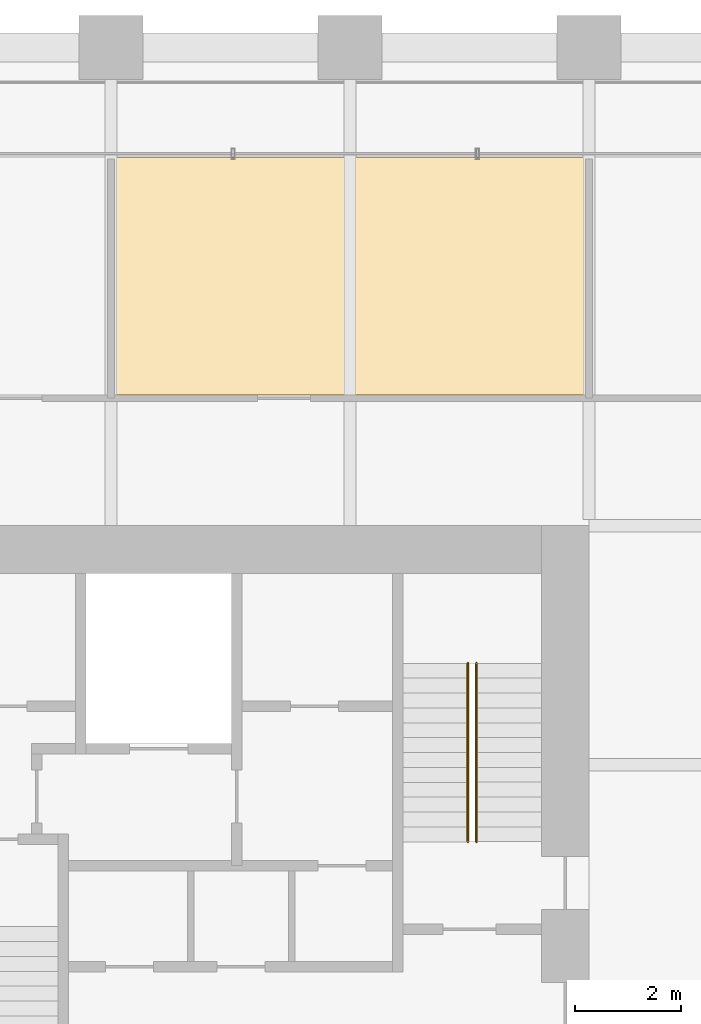
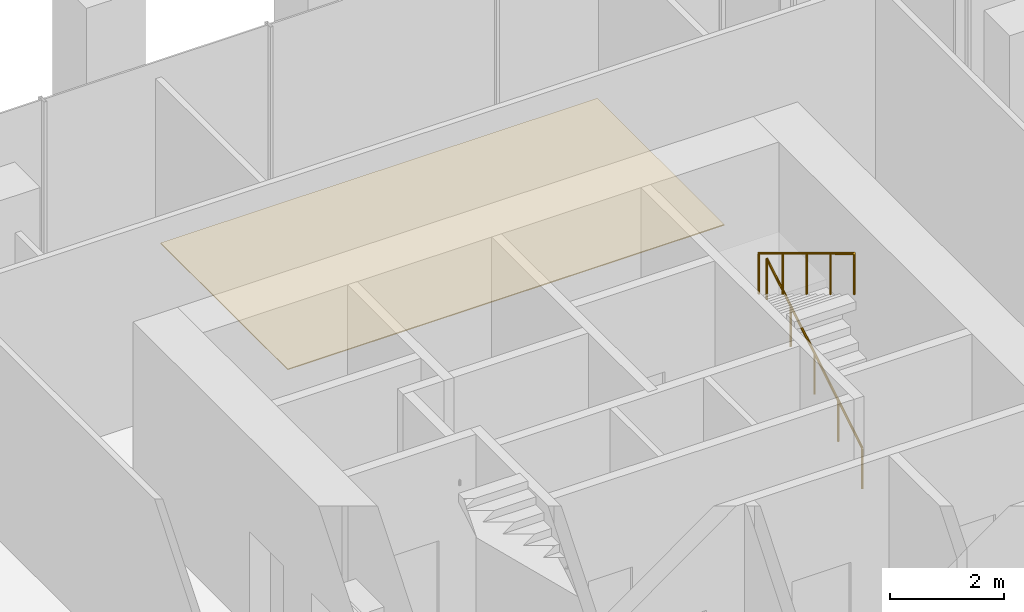
# One storey, part 36 of 36: 2 railings, 1 covering.
"""IFC4 building model written with IfcOpenShell, lengths in metres."""

import ifcopenshell
import ifcopenshell.guid

model = None  # the IFC model being written
_history = None  # IfcOwnerHistory: only IFC2X3 demands one
_inside = {}  # id of a spatial element -> (the spatial element, [elements in it])
_under = {}  # id of a project, library or spatial element -> (it, [spatial elements below it])
_declared = {}  # id of a project -> (the project, [libraries it declares])
_typed = {}  # id of a type object -> (the type object, [elements of that type])
_made_of = {}  # id of a material, layer set ... -> (it, [elements and type objects made of it])


def new_model(schema):
    """Start an empty IFC model of exactly this schema.

    Asked for "IFC4X3", IfcOpenShell would pick the latest addendum, in which some entities
    have other attributes; the version numbers below select the first issue.
    IFC2X3 requires an IfcOwnerHistory on every rooted entity: one is made here for all.
    """
    global model, _history
    if schema == "IFC4X3":
        model = ifcopenshell.file(schema_version=(4, 3, 0, 0))
    else:
        model = ifcopenshell.file(schema=schema)
    _inside.clear()
    _under.clear()
    _declared.clear()
    _typed.clear()
    _made_of.clear()
    _history = None
    if model.schema == "IFC2X3":
        org = make("IfcOrganization", Name="unknown")
        user = make(
            "IfcPersonAndOrganization",
            ThePerson=make("IfcPerson", FamilyName="unknown"),
            TheOrganization=org,
        )
        app = make(
            "IfcApplication",
            ApplicationDeveloper=org,
            Version="unknown",
            ApplicationFullName="unknown",
            ApplicationIdentifier="unknown",
        )
        _history = make(
            "IfcOwnerHistory",
            OwningUser=user,
            OwningApplication=app,
            ChangeAction="ADDED",
            CreationDate=0,
        )
    return model


def make(cls, **values):
    """One entity of the class cls with the attributes given. An attribute that is None is left unset."""
    return model.create_entity(
        cls, **{name: value for name, value in values.items() if value is not None}
    )


def rooted(cls, **values):
    """An entity with a GlobalId (a new one), such as an element, a storey or a relation."""
    return make(cls, GlobalId=ifcopenshell.guid.new(), OwnerHistory=_history, **values)


def si_unit(unit_type, name, prefix=None):
    """IfcSIUnit, for example si_unit("LENGTHUNIT", "METRE", prefix="MILLI")."""
    return make("IfcSIUnit", UnitType=unit_type, Prefix=prefix, Name=name)


def assignment(units):
    """IfcUnitAssignment: the units of a project."""
    return None if units is None else make("IfcUnitAssignment", Units=units)


def point(xyz):
    """IfcCartesianPoint."""
    return None if xyz is None else make("IfcCartesianPoint", Coordinates=xyz)


def direction(xyz):
    """IfcDirection."""
    return None if xyz is None else make("IfcDirection", DirectionRatios=xyz)


def frame(location, z_axis=None, x_axis=None):
    """IfcAxis2Placement3D, a coordinate frame: its origin and axes. An axis left out is left unset."""
    return make(
        "IfcAxis2Placement3D",
        Location=point(location),
        Axis=direction(z_axis),
        RefDirection=direction(x_axis),
    )


def frame_2d(location, x_axis=None):
    """IfcAxis2Placement2D, a coordinate frame in the plane: its origin and x axis."""
    return make(
        "IfcAxis2Placement2D", Location=point(location), RefDirection=direction(x_axis)
    )


def origin():
    """The frame at (0, 0, 0) with its axes left unset."""
    return frame((0.0, 0.0, 0.0))


def origin_2d():
    """The frame at (0, 0) in the plane with its x axis left unset."""
    return frame_2d((0.0, 0.0))


def place(relative_to, where):
    """IfcLocalPlacement: puts the frame where relative to a parent placement (None: the world)."""
    return make(
        "IfcLocalPlacement", PlacementRelTo=relative_to, RelativePlacement=where
    )


def context(
    kind, dimensions, precision=None, world=None, true_north=None, identifier=None
):
    """IfcGeometricRepresentationContext, for example the 3D "Model" context."""
    return make(
        "IfcGeometricRepresentationContext",
        ContextIdentifier=identifier,
        ContextType=kind,
        CoordinateSpaceDimension=dimensions,
        Precision=precision,
        WorldCoordinateSystem=world,
        TrueNorth=true_north,
    )


def subcontext(parent, identifier, kind, view, scale=None):
    """IfcGeometricRepresentationSubContext, for example "Body" below "Model"."""
    return make(
        "IfcGeometricRepresentationSubContext",
        ContextIdentifier=identifier,
        ContextType=kind,
        ParentContext=parent,
        TargetScale=scale,
        TargetView=view,
    )


def project(units=None, contexts=None):
    """IfcProject with its units and contexts."""
    return rooted(
        "IfcProject",
        Name="project",
        RepresentationContexts=contexts,
        UnitsInContext=assignment(units),
    )


def spatial(cls, under=None, at=None, **own):
    """A site, building, storey or space (cls), placed at a placement, below another one or the project."""
    s = rooted(cls, ObjectPlacement=at, **own)
    if under is not None:
        _under.setdefault(under.id(), (under, []))[1].append(s)
    return s


def polyline(points):
    """IfcPolyline through the points."""
    return make("IfcPolyline", Points=[point(p) for p in points])


def profile(cls, at=None, kind="AREA", **sizes):
    """A parametric profile (cls). Its sizes go by their IFC names, for example OverallWidth=200.0."""
    return make(cls, ProfileType=kind, Position=at, **sizes)


def circle(**sizes):
    """IfcCircleProfileDef."""
    return profile("IfcCircleProfileDef", **sizes)


def outline(outer, holes=None, kind="AREA"):
    """IfcArbitraryClosedProfileDef: a profile drawn as a closed curve; with holes, ...WithVoids."""
    if holes is None:
        return make("IfcArbitraryClosedProfileDef", ProfileType=kind, OuterCurve=outer)
    return make(
        "IfcArbitraryProfileDefWithVoids",
        ProfileType=kind,
        OuterCurve=outer,
        InnerCurves=holes,
    )


def extrude(swept, where, along, depth):
    """IfcExtrudedAreaSolid: the profile swept, set in the frame where, extruded along a direction by depth."""
    return make(
        "IfcExtrudedAreaSolid",
        SweptArea=swept,
        Position=where,
        ExtrudedDirection=direction(along),
        Depth=depth,
    )


def shape(context_of_items, identifier, shape_type, items):
    """IfcShapeRepresentation: the items that make up one representation, for example the "Body"."""
    return make(
        "IfcShapeRepresentation",
        ContextOfItems=context_of_items,
        RepresentationIdentifier=identifier,
        RepresentationType=shape_type,
        Items=items,
    )


def source(mapping_origin, context_of_items, identifier, shape_type, items):
    """IfcRepresentationMap: a shape defined once, which mapped items show again and again."""
    return make(
        "IfcRepresentationMap",
        MappingOrigin=mapping_origin,
        MappedRepresentation=shape(context_of_items, identifier, shape_type, items),
    )


def transform(
    local_origin,
    x_axis=None,
    y_axis=None,
    z_axis=None,
    scale=None,
    scale2=None,
    scale3=None,
    uniform=True,
):
    """IfcCartesianTransformationOperator3D, or its non-uniform kind. x_axis, y_axis, z_axis: its Axis1, 2, 3."""
    if uniform:
        return make(
            "IfcCartesianTransformationOperator3D",
            Axis1=direction(x_axis),
            Axis2=direction(y_axis),
            LocalOrigin=point(local_origin),
            Scale=scale,
            Axis3=direction(z_axis),
        )
    return make(
        "IfcCartesianTransformationOperator3DnonUniform",
        Axis1=direction(x_axis),
        Axis2=direction(y_axis),
        LocalOrigin=point(local_origin),
        Scale=scale,
        Axis3=direction(z_axis),
        Scale2=scale2,
        Scale3=scale3,
    )


def mapped(mapping_source, mapping_target):
    """IfcMappedItem: shows the shape of a source again, moved by a transform."""
    return make(
        "IfcMappedItem", MappingSource=mapping_source, MappingTarget=mapping_target
    )


def material(Name=None, Category=None):
    """IfcMaterial."""
    return make("IfcMaterial", Name=Name, Category=Category)


def layer(
    of_material, thickness, ventilated=None, Name=None, Category=None, Priority=None
):
    """IfcMaterialLayer: one layer of a wall or slab, of a material (None: an air gap)."""
    return make(
        "IfcMaterialLayer",
        Material=of_material,
        LayerThickness=thickness,
        IsVentilated=ventilated,
        Name=Name,
        Category=Category,
        Priority=Priority,
    )


def layer_set(layers, Name=None):
    """IfcMaterialLayerSet."""
    return make("IfcMaterialLayerSet", MaterialLayers=layers, LayerSetName=Name)


def made_of(thing, what):
    """Note that an element or type object is made of a material, layer set ...; save() writes the relation."""
    if what is not None:
        _made_of.setdefault(what.id(), (what, []))[1].append(thing)
    return thing


def type_object(cls, material=None, **own):
    """A type object (cls), such as IfcWallType, which elements share."""
    return made_of(rooted(cls, **own), material)


def element(
    cls,
    number,
    at=None,
    inside=None,
    cuts=None,
    type_object=None,
    material=None,
    context=None,
    identifier="Body",
    shape_type=None,
    held_by="IfcProductDefinitionShape",
    body=None,
    shapes=None,
    **own,
):
    """One element of the class cls, such as IfcWall. Its Tag is "e" and its number.

    at: its placement. inside: the storey or other place that contains it. cuts: it is an
    opening in that element (IfcRelVoidsElement). A single representation is given by context,
    identifier, shape_type and body (its items); several are given by shapes. held_by: the class
    of the entity that holds the representations. save() writes the other relations.
    """
    e = rooted(cls, Tag="e%d" % number, ObjectPlacement=at, **own)
    if body is not None:
        shapes = [shape(context, identifier, shape_type, body)]
    if shapes is not None:
        e.Representation = make(held_by, Representations=shapes)
    if inside is not None:
        _inside.setdefault(inside.id(), (inside, []))[1].append(e)
    if cuts is not None:
        rooted(
            "IfcRelVoidsElement", RelatingBuildingElement=cuts, RelatedOpeningElement=e
        )
    if type_object is not None:
        _typed.setdefault(type_object.id(), (type_object, []))[1].append(e)
    return made_of(e, material)


def aggregate(whole, parts):
    """IfcRelAggregates: a whole, such as a stair, and the parts it consists of."""
    return rooted("IfcRelAggregates", RelatingObject=whole, RelatedObjects=parts)


def save(model, path):
    """Write the relations noted so far, then the file.

    IfcRelAggregates (storeys below a building ...), IfcRelContainedInSpatialStructure (elements
    in a storey), IfcRelDefinesByType, IfcRelAssociatesMaterial and IfcRelDeclares: one each for
    every whole, place, type object, material and project.
    """
    for whole, parts in _under.values():
        aggregate(whole, parts)
    for where, things in _inside.values():
        rooted(
            "IfcRelContainedInSpatialStructure",
            RelatedElements=things,
            RelatingStructure=where,
        )
    for kind, things in _typed.values():
        rooted("IfcRelDefinesByType", RelatedObjects=things, RelatingType=kind)
    for what, things in _made_of.values():
        rooted("IfcRelAssociatesMaterial", RelatedObjects=things, RelatingMaterial=what)
    for by, libraries in _declared.values():
        rooted("IfcRelDeclares", RelatingContext=by, RelatedDefinitions=libraries)
    model.write(path)


model = new_model("IFC4")

# Units and contexts
model_context = context("Model", 3, precision=1e-05, world=origin(), true_north=direction((0.0, 1.0)))
body_context = subcontext(model_context, "Body", "Model", "MODEL_VIEW")
ifc_project = project(units=[si_unit("LENGTHUNIT", "METRE"), si_unit("AREAUNIT", "SQUARE_METRE"), si_unit("VOLUMEUNIT", "CUBIC_METRE"), si_unit("PLANEANGLEUNIT", "RADIAN"), si_unit("MASSUNIT", "GRAM", prefix="KILO")], contexts=[model_context])

# Site, building, storey
site_placement = place(None, origin())
site = spatial("IfcSite", under=ifc_project, at=site_placement, CompositionType="ELEMENT")
building_placement = place(site_placement, origin())
building = spatial("IfcBuilding", under=site, at=building_placement, Name="Altepetl Exchange Towers", CompositionType="ELEMENT")
storey_placement = place(building_placement, frame((0.0, 0.0, 29.800048828125)))
storey = spatial("IfcBuildingStorey", under=building, at=storey_placement, Name="L06", CompositionType="ELEMENT", Elevation=29.800048828125)

# Covering
ifc_material_1 = material(Name="Carpet tile")
ifc_layer = layer(ifc_material_1, 0.02001953125)
ifc_layer_set = layer_set([ifc_layer], Name="Carpet tile")
covering_type = type_object("IfcCoveringType", Name="Carpet tile floor", PredefinedType="FLOORING", material=ifc_layer_set)
covering_placement = place(storey_placement, origin())
element("IfcCovering", 1, at=covering_placement, inside=storey, type_object=covering_type, Name="Meeting room floor finish B06.05", PredefinedType="FLOORING", context=body_context, shape_type="SweptSolid", body=[
    extrude(outline(polyline([(108.0625, 56.4375), (108.0625, 51.96240234375), (116.9375, 51.96240234375), (116.9375, 56.4375), (108.0625, 56.4375)])), origin(), (0.0, 0.0, 1.0), 0.02001953125),
])

# Railings
ifc_material_2 = material(Name="Steel", Category="steel")
railing_type = type_object("IfcRailingType", Name="Stair handrail 50 steel tube", PredefinedType="HANDRAIL", material=ifc_material_2)
shared_shape = source(origin(), body_context, "Body", "SweptSolid", [
    extrude(circle(Radius=0.02099609375, at=origin_2d()), origin(), (0.0, 0.0, 1.0), 0.851806640625),
])
railing_1_placement = place(storey_placement, frame((114.8798828125, 43.550048828125, 0.169189453125)))
element("IfcRailing", 2, at=railing_1_placement, inside=storey, type_object=railing_type, Name="Stair handrail", PredefinedType="HANDRAIL", context=body_context, shape_type="SweptSolid", body=[
    extrude(circle(Radius=0.02392578125, at=origin_2d()), frame((0.0, 0.0, 0.8759765625), z_axis=(0.0, 0.855820338506, 0.51727318527), x_axis=(-1.0, 0.0, 0.0)), (0.0, 0.0, 1.0), 3.92578125),
    mapped(shared_shape, transform((0.0, 0.0, 0.0))),
    mapped(shared_shape, transform((0.0, 0.83984375, 0.5078125))),
    mapped(shared_shape, transform((0.0, 1.679931640625, 1.015380859375))),
    mapped(shared_shape, transform((0.0, 2.52001953125, 1.52294921875))),
    mapped(shared_shape, transform((0.0, 3.35986328125, 2.03076171875))),
])
railing_2_placement = place(storey_placement, frame((114.719970703125, 46.909912109375, 2.369140625)))
element("IfcRailing", 3, at=railing_2_placement, inside=storey, type_object=railing_type, Name="Stair handrail", PredefinedType="HANDRAIL", context=body_context, shape_type="SweptSolid", body=[
    extrude(circle(Radius=0.02392578125, at=origin_2d()), frame((0.0, 0.0, 0.8759765625), z_axis=(0.0, -0.855820338506, 0.51727318527), x_axis=(1.0, 0.0, 0.0)), (0.0, 0.0, 1.0), 3.92578125),
    mapped(shared_shape, transform((0.0, 0.0, 0.0))),
    mapped(shared_shape, transform((0.0, -0.83984375, 0.5078125))),
    mapped(shared_shape, transform((0.0, -1.679931640625, 1.015380859375))),
    mapped(shared_shape, transform((0.0, -2.52001953125, 1.52294921875))),
    mapped(shared_shape, transform((0.0, -3.35986328125, 2.03076171875))),
])

save(model, "model.ifc")
